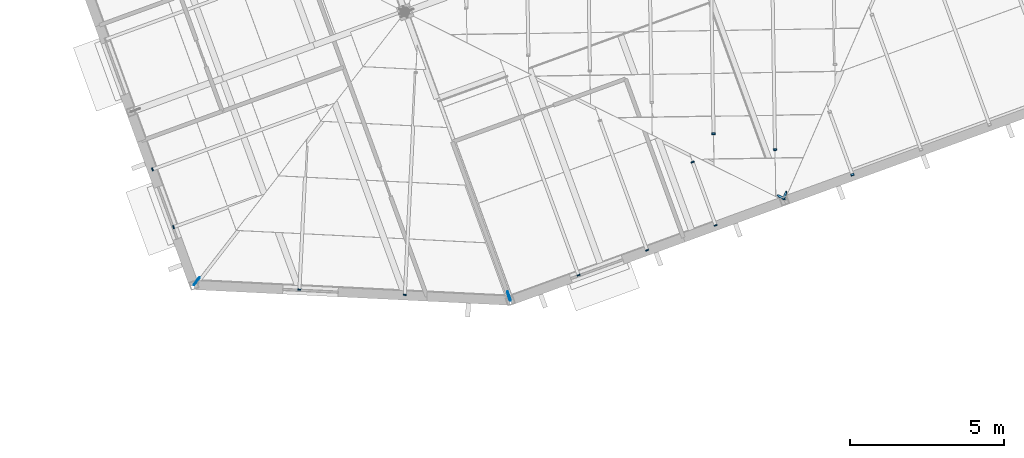
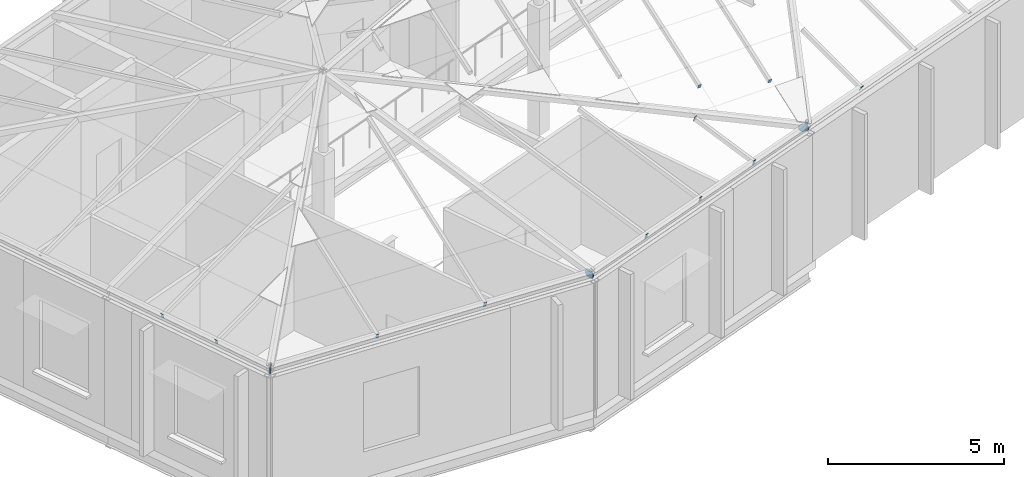
# One storey, part 65 of 95: 15 discrete accessories.
"""IFC4 building model written with IfcOpenShell, lengths in metres."""

import ifcopenshell
import ifcopenshell.guid

model = None  # the IFC model being written
_history = None  # IfcOwnerHistory: only IFC2X3 demands one
_inside = {}  # id of a spatial element -> (the spatial element, [elements in it])
_under = {}  # id of a project, library or spatial element -> (it, [spatial elements below it])
_declared = {}  # id of a project -> (the project, [libraries it declares])
_typed = {}  # id of a type object -> (the type object, [elements of that type])
_made_of = {}  # id of a material, layer set ... -> (it, [elements and type objects made of it])


def new_model(schema):
    """Start an empty IFC model of exactly this schema.

    Asked for "IFC4X3", IfcOpenShell would pick the latest addendum, in which some entities
    have other attributes; the version numbers below select the first issue.
    IFC2X3 requires an IfcOwnerHistory on every rooted entity: one is made here for all.
    """
    global model, _history
    if schema == "IFC4X3":
        model = ifcopenshell.file(schema_version=(4, 3, 0, 0))
    else:
        model = ifcopenshell.file(schema=schema)
    _inside.clear()
    _under.clear()
    _declared.clear()
    _typed.clear()
    _made_of.clear()
    _history = None
    if model.schema == "IFC2X3":
        org = make("IfcOrganization", Name="unknown")
        user = make(
            "IfcPersonAndOrganization",
            ThePerson=make("IfcPerson", FamilyName="unknown"),
            TheOrganization=org,
        )
        app = make(
            "IfcApplication",
            ApplicationDeveloper=org,
            Version="unknown",
            ApplicationFullName="unknown",
            ApplicationIdentifier="unknown",
        )
        _history = make(
            "IfcOwnerHistory",
            OwningUser=user,
            OwningApplication=app,
            ChangeAction="ADDED",
            CreationDate=0,
        )
    return model


def make(cls, **values):
    """One entity of the class cls with the attributes given. An attribute that is None is left unset."""
    return model.create_entity(
        cls, **{name: value for name, value in values.items() if value is not None}
    )


def rooted(cls, **values):
    """An entity with a GlobalId (a new one), such as an element, a storey or a relation."""
    return make(cls, GlobalId=ifcopenshell.guid.new(), OwnerHistory=_history, **values)


def si_unit(unit_type, name, prefix=None):
    """IfcSIUnit, for example si_unit("LENGTHUNIT", "METRE", prefix="MILLI")."""
    return make("IfcSIUnit", UnitType=unit_type, Prefix=prefix, Name=name)


def assignment(units):
    """IfcUnitAssignment: the units of a project."""
    return None if units is None else make("IfcUnitAssignment", Units=units)


def point(xyz):
    """IfcCartesianPoint."""
    return None if xyz is None else make("IfcCartesianPoint", Coordinates=xyz)


def direction(xyz):
    """IfcDirection."""
    return None if xyz is None else make("IfcDirection", DirectionRatios=xyz)


def frame(location, z_axis=None, x_axis=None):
    """IfcAxis2Placement3D, a coordinate frame: its origin and axes. An axis left out is left unset."""
    return make(
        "IfcAxis2Placement3D",
        Location=point(location),
        Axis=direction(z_axis),
        RefDirection=direction(x_axis),
    )


def frame_2d(location, x_axis=None):
    """IfcAxis2Placement2D, a coordinate frame in the plane: its origin and x axis."""
    return make(
        "IfcAxis2Placement2D", Location=point(location), RefDirection=direction(x_axis)
    )


def origin():
    """The frame at (0, 0, 0) with its axes left unset."""
    return frame((0.0, 0.0, 0.0))


def origin_2d():
    """The frame at (0, 0) in the plane with its x axis left unset."""
    return frame_2d((0.0, 0.0))


def place(relative_to, where):
    """IfcLocalPlacement: puts the frame where relative to a parent placement (None: the world)."""
    return make(
        "IfcLocalPlacement", PlacementRelTo=relative_to, RelativePlacement=where
    )


def context(
    kind, dimensions, precision=None, world=None, true_north=None, identifier=None
):
    """IfcGeometricRepresentationContext, for example the 3D "Model" context."""
    return make(
        "IfcGeometricRepresentationContext",
        ContextIdentifier=identifier,
        ContextType=kind,
        CoordinateSpaceDimension=dimensions,
        Precision=precision,
        WorldCoordinateSystem=world,
        TrueNorth=true_north,
    )


def subcontext(parent, identifier, kind, view, scale=None):
    """IfcGeometricRepresentationSubContext, for example "Body" below "Model"."""
    return make(
        "IfcGeometricRepresentationSubContext",
        ContextIdentifier=identifier,
        ContextType=kind,
        ParentContext=parent,
        TargetScale=scale,
        TargetView=view,
    )


def project(units=None, contexts=None):
    """IfcProject with its units and contexts."""
    return rooted(
        "IfcProject",
        Name="project",
        RepresentationContexts=contexts,
        UnitsInContext=assignment(units),
    )


def spatial(cls, under=None, at=None, **own):
    """A site, building, storey or space (cls), placed at a placement, below another one or the project."""
    s = rooted(cls, ObjectPlacement=at, **own)
    if under is not None:
        _under.setdefault(under.id(), (under, []))[1].append(s)
    return s


def profile(cls, at=None, kind="AREA", **sizes):
    """A parametric profile (cls). Its sizes go by their IFC names, for example OverallWidth=200.0."""
    return make(cls, ProfileType=kind, Position=at, **sizes)


def rectangle(**sizes):
    """IfcRectangleProfileDef."""
    return profile("IfcRectangleProfileDef", **sizes)


def circle(**sizes):
    """IfcCircleProfileDef."""
    return profile("IfcCircleProfileDef", **sizes)


def extrude(swept, where, along, depth):
    """IfcExtrudedAreaSolid: the profile swept, set in the frame where, extruded along a direction by depth."""
    return make(
        "IfcExtrudedAreaSolid",
        SweptArea=swept,
        Position=where,
        ExtrudedDirection=direction(along),
        Depth=depth,
    )


def shape(context_of_items, identifier, shape_type, items):
    """IfcShapeRepresentation: the items that make up one representation, for example the "Body"."""
    return make(
        "IfcShapeRepresentation",
        ContextOfItems=context_of_items,
        RepresentationIdentifier=identifier,
        RepresentationType=shape_type,
        Items=items,
    )


def material(Name=None, Category=None):
    """IfcMaterial."""
    return make("IfcMaterial", Name=Name, Category=Category)


def layer(
    of_material, thickness, ventilated=None, Name=None, Category=None, Priority=None
):
    """IfcMaterialLayer: one layer of a wall or slab, of a material (None: an air gap)."""
    return make(
        "IfcMaterialLayer",
        Material=of_material,
        LayerThickness=thickness,
        IsVentilated=ventilated,
        Name=Name,
        Category=Category,
        Priority=Priority,
    )


def layer_set(layers, Name=None):
    """IfcMaterialLayerSet."""
    return make("IfcMaterialLayerSet", MaterialLayers=layers, LayerSetName=Name)


def made_of(thing, what):
    """Note that an element or type object is made of a material, layer set ...; save() writes the relation."""
    if what is not None:
        _made_of.setdefault(what.id(), (what, []))[1].append(thing)
    return thing


def type_object(cls, material=None, **own):
    """A type object (cls), such as IfcWallType, which elements share."""
    return made_of(rooted(cls, **own), material)


def element(
    cls,
    number,
    at=None,
    inside=None,
    cuts=None,
    type_object=None,
    material=None,
    context=None,
    identifier="Body",
    shape_type=None,
    held_by="IfcProductDefinitionShape",
    body=None,
    shapes=None,
    **own,
):
    """One element of the class cls, such as IfcWall. Its Tag is "e" and its number.

    at: its placement. inside: the storey or other place that contains it. cuts: it is an
    opening in that element (IfcRelVoidsElement). A single representation is given by context,
    identifier, shape_type and body (its items); several are given by shapes. held_by: the class
    of the entity that holds the representations. save() writes the other relations.
    """
    e = rooted(cls, Tag="e%d" % number, ObjectPlacement=at, **own)
    if body is not None:
        shapes = [shape(context, identifier, shape_type, body)]
    if shapes is not None:
        e.Representation = make(held_by, Representations=shapes)
    if inside is not None:
        _inside.setdefault(inside.id(), (inside, []))[1].append(e)
    if cuts is not None:
        rooted(
            "IfcRelVoidsElement", RelatingBuildingElement=cuts, RelatedOpeningElement=e
        )
    if type_object is not None:
        _typed.setdefault(type_object.id(), (type_object, []))[1].append(e)
    return made_of(e, material)


def aggregate(whole, parts):
    """IfcRelAggregates: a whole, such as a stair, and the parts it consists of."""
    return rooted("IfcRelAggregates", RelatingObject=whole, RelatedObjects=parts)


def save(model, path):
    """Write the relations noted so far, then the file.

    IfcRelAggregates (storeys below a building ...), IfcRelContainedInSpatialStructure (elements
    in a storey), IfcRelDefinesByType, IfcRelAssociatesMaterial and IfcRelDeclares: one each for
    every whole, place, type object, material and project.
    """
    for whole, parts in _under.values():
        aggregate(whole, parts)
    for where, things in _inside.values():
        rooted(
            "IfcRelContainedInSpatialStructure",
            RelatedElements=things,
            RelatingStructure=where,
        )
    for kind, things in _typed.values():
        rooted("IfcRelDefinesByType", RelatedObjects=things, RelatingType=kind)
    for what, things in _made_of.values():
        rooted("IfcRelAssociatesMaterial", RelatedObjects=things, RelatingMaterial=what)
    for by, libraries in _declared.values():
        rooted("IfcRelDeclares", RelatingContext=by, RelatedDefinitions=libraries)
    model.write(path)


model = new_model("IFC4")

# Units and contexts
model_context = context("Model", 3, precision=1e-05, world=origin(), true_north=direction((0.0, 1.0)))
body_context = subcontext(model_context, "Body", "Model", "MODEL_VIEW")
ifc_project = project(units=[si_unit("LENGTHUNIT", "METRE"), si_unit("AREAUNIT", "SQUARE_METRE"), si_unit("VOLUMEUNIT", "CUBIC_METRE"), si_unit("PLANEANGLEUNIT", "RADIAN"), si_unit("MASSUNIT", "GRAM", prefix="KILO")], contexts=[model_context])

# Site, building, storey
site_placement = place(None, origin())
site = spatial("IfcSite", under=ifc_project, at=site_placement, CompositionType="ELEMENT")
building_placement = place(site_placement, origin())
building = spatial("IfcBuilding", under=site, at=building_placement, Name="Windward Yard Aquatics Centre", CompositionType="ELEMENT")
storey_placement = place(building_placement, frame((0.0, 0.0, 9.39990234375)))
storey = spatial("IfcBuildingStorey", under=building, at=storey_placement, Name="L02", CompositionType="ELEMENT", Elevation=9.39990234375)

# Discrete accessories
ifc_material = material(Name="Steel S355", Category="steel")
ifc_layer_1 = layer(ifc_material, 0.010009765625)
ifc_layer_set_1 = layer_set([ifc_layer_1], Name="End cap plate 10 mm RHS100x150x6")
discrete_accessory_type_1 = type_object("IfcDiscreteAccessoryType", Name="End cap plate 10 mm RHS100x150x6", PredefinedType="USERDEFINED", material=ifc_layer_set_1)
for number, where, z_axis, x_axis, name in (
    (1, (31.638427734375, 83.452392578125, 4.645751953125), (-0.291643812566, 0.850627786651, 0.437465718849), (-0.945945945946, -0.324324324324, 0.0), "End cap"),
    (2, (29.11572265625, 84.2705078125, 5.27685546875), (-0.024470439212, 0.929876690042, 0.367056588174), (-0.999653919353, -0.026306682088, 0.0), "End cap"),
    (3, (22.71923828125, 80.181884765625, 4.639892578125), (-0.343100156977, 0.906764700582, 0.245071540698), (-0.935286257456, -0.353892097416, 0.0), "End cap"),
    (4, (27.1826171875, 81.806396484375, 4.639892578125), (-0.314097638208, 0.91813155784, 0.241613567853), (-0.946163984953, -0.323687679063, 0.0), "End cap"),
    (5, (26.434814453125, 83.86181640625, 5.17578125), (-0.345074700913, 0.911983138127, 0.221833736301), (-0.935286257456, -0.353892097416, 0.0), "End cap"),
):
    element("IfcDiscreteAccessory", number, at=place(storey_placement, frame(where, z_axis=z_axis, x_axis=x_axis)), inside=storey, type_object=discrete_accessory_type_1, Name=name, ObjectType="END CAP", PredefinedType="USERDEFINED", context=body_context, shape_type="SweptSolid", body=[
        extrude(rectangle(XDim=0.10009765625, YDim=0.14990234375, at=origin_2d()), origin(), (0.0, 0.0, 1.0), 0.010009765625),
    ])
discrete_accessory_1_placement = place(storey_placement, frame((13.630615234375, 79.71240234375, 4.64013671875), z_axis=(0.048154341234, 0.963086824686, 0.264848876789), x_axis=(-0.998752338878, 0.049937616944, 0.0)))
element("IfcDiscreteAccessory", 6, at=discrete_accessory_1_placement, inside=storey, type_object=discrete_accessory_type_1, Name="End cap", ObjectType="END CAP", PredefinedType="USERDEFINED", context=body_context, shape_type="SweptSolid", body=[
    extrude(rectangle(XDim=0.10009765625, YDim=0.14990234375, at=origin_2d()), origin(), (0.0, 0.0, 1.0), 0.01025390625),
])
discrete_accessory_2_placement = place(storey_placement, frame((8.8466796875, 83.62841796875, 4.64013671875), z_axis=(0.91813155784, 0.314097638208, 0.241613567853), x_axis=(-0.323687679063, 0.946163984953, 0.0)))
element("IfcDiscreteAccessory", 7, at=discrete_accessory_2_placement, inside=storey, type_object=discrete_accessory_type_1, Name="End cap", ObjectType="END CAP", PredefinedType="USERDEFINED", context=body_context, shape_type="SweptSolid", body=[
    extrude(rectangle(XDim=0.10009765625, YDim=0.14990234375, at=origin_2d()), origin(), (0.0, 0.0, 1.0), 0.010009765625),
])
discrete_accessory_3_placement = place(storey_placement, frame((27.1123046875, 84.786865234375, 5.48876953125), z_axis=(0.0, 0.938343116817, 0.345705358827), x_axis=(-1.0, 0.0, 0.0)))
element("IfcDiscreteAccessory", 8, at=discrete_accessory_3_placement, inside=storey, type_object=discrete_accessory_type_1, Name="End cap", ObjectType="END CAP", PredefinedType="USERDEFINED", context=body_context, shape_type="SweptSolid", body=[
    extrude(rectangle(XDim=0.10009765625, YDim=0.14990234375, at=origin_2d()), origin(), (0.0, 0.0, 1.0), 0.009765625),
])
for number, where, z_axis, x_axis, name in (
    (9, (24.950927734375, 80.994140625, 4.639892578125), (-0.33562431104, 0.910980272822, 0.239731650743), (-0.938343116817, -0.345705358827, 0.0), "End cap"),
    (10, (17.062255859375, 79.54248046875, 4.64013671875), (0.048154341234, 0.963086824686, 0.264848876789), (-0.998752338878, 0.049937616944, 0.0), "End cap"),
):
    element("IfcDiscreteAccessory", number, at=place(storey_placement, frame(where, z_axis=z_axis, x_axis=x_axis)), inside=storey, type_object=discrete_accessory_type_1, Name=name, ObjectType="END CAP", PredefinedType="USERDEFINED", context=body_context, shape_type="SweptSolid", body=[
        extrude(rectangle(XDim=0.10009765625, YDim=0.14990234375, at=origin_2d()), origin(), (0.0, 0.0, 1.0), 0.01025390625),
    ])
discrete_accessory_4_placement = place(storey_placement, frame((9.531005859375, 81.7490234375, 4.64013671875), z_axis=(0.914207490549, 0.32120803722, 0.247083105554), x_axis=(-0.331485995013, 0.943460139651, 0.0)))
element("IfcDiscreteAccessory", 11, at=discrete_accessory_4_placement, inside=storey, type_object=discrete_accessory_type_1, Name="End cap", ObjectType="END CAP", PredefinedType="USERDEFINED", context=body_context, shape_type="SweptSolid", body=[
    extrude(rectangle(XDim=0.10009765625, YDim=0.14990234375, at=origin_2d()), origin(), (0.0, 0.0, 1.0), 0.009765625),
])
ifc_layer_2 = layer(ifc_material, 0.011962890625)
ifc_layer_set_2 = layer_set([ifc_layer_2], Name="Gusset plate 320 mm disc 12 mm, roof frames")
discrete_accessory_type_2 = type_object("IfcDiscreteAccessoryType", Name="Gusset plate 320 mm disc 12 mm, roof frames", PredefinedType="USERDEFINED", material=ifc_layer_set_2)
discrete_accessory_5_placement = place(storey_placement, frame((10.282470703125, 79.985107421875, 4.541259765625), z_axis=(0.792460342156, -0.609584878581, -0.020319495953), x_axis=(0.60971076085, 0.792623989105, 0.0)))
element("IfcDiscreteAccessory", 12, at=discrete_accessory_5_placement, inside=storey, type_object=discrete_accessory_type_2, Name="Gusset plate", ObjectType="GUSSET PLATE", PredefinedType="USERDEFINED", context=body_context, shape_type="SweptSolid", body=[
    extrude(circle(Radius=0.159912109375, at=origin_2d()), origin(), (0.0, 0.0, 1.0), 0.011962890625),
])
discrete_accessory_6_placement = place(storey_placement, frame((20.446044921875, 79.5, 4.544677734375), z_axis=(0.944926459864, 0.32167709272, 0.060314454885), x_axis=(-0.322263797804, 0.94664990605, 0.0)))
element("IfcDiscreteAccessory", 13, at=discrete_accessory_6_placement, inside=storey, type_object=discrete_accessory_type_2, Name="Gusset plate", ObjectType="GUSSET PLATE", PredefinedType="USERDEFINED", context=body_context, shape_type="SweptSolid", body=[
    extrude(circle(Radius=0.159912109375, at=origin_2d()), origin(), (0.0, 0.0, 1.0), 0.01220703125),
])
for number, where, z_axis, x_axis, name in (
    (14, (29.43408203125, 82.78271484375, 4.567626953125), (0.922216346819, -0.327899145536, -0.20493696596), (0.335009667655, 0.942214690279, 0.0), "Gusset plate"),
    (15, (29.31884765625, 82.7109375, 4.540771484375), (0.465907896735, 0.850788333167, 0.243082380905), (-0.877096267842, 0.480314622866, 0.0), "Gusset plate"),
):
    element("IfcDiscreteAccessory", number, at=place(storey_placement, frame(where, z_axis=z_axis, x_axis=x_axis)), inside=storey, type_object=discrete_accessory_type_2, Name=name, ObjectType="GUSSET PLATE", PredefinedType="USERDEFINED", context=body_context, shape_type="SweptSolid", body=[
        extrude(circle(Radius=0.159912109375, at=origin_2d()), origin(), (0.0, 0.0, 1.0), 0.011962890625),
    ])

save(model, "model.ifc")
